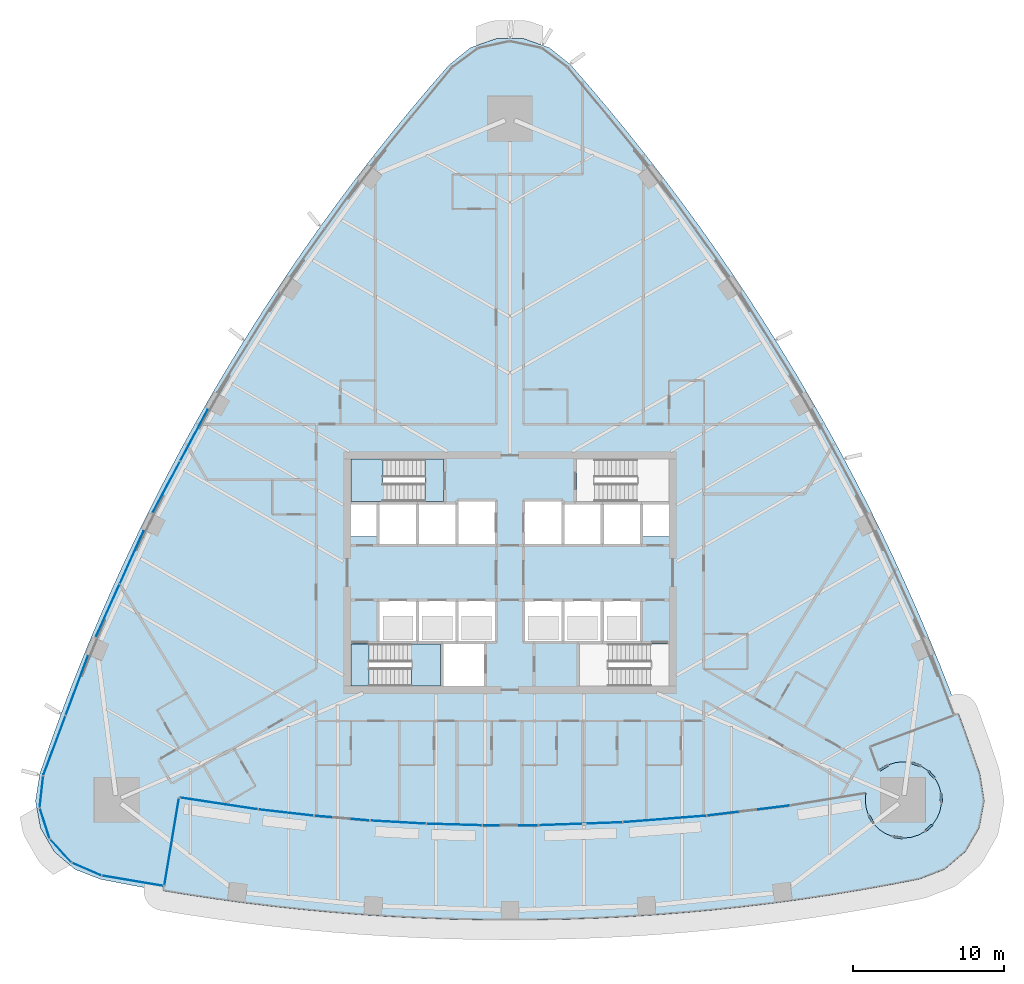
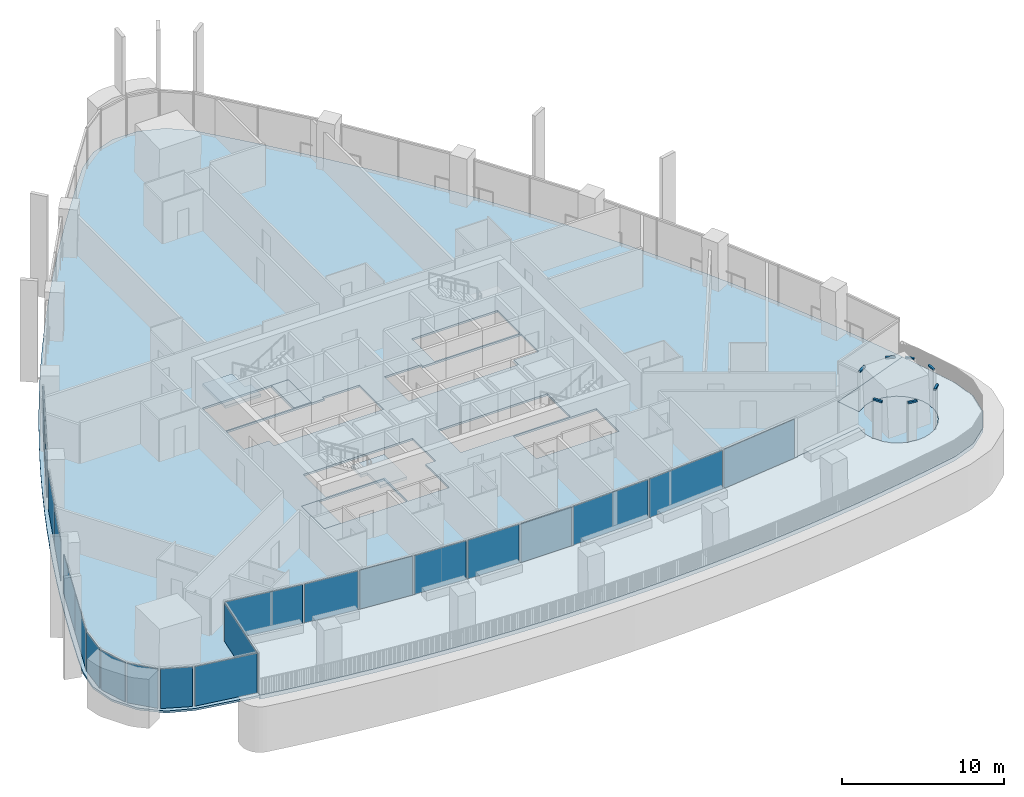
# One storey, part 8 of 25: 21 plates, 7 members, 6 slabs, 27 elements without a shape of their own.
"""IFC4 building model written with IfcOpenShell, lengths in metres."""

from ifc_helpers import new_model, si_unit, direction, frame, origin, origin_2d, place, context, subcontext, project, spatial, polyline, rectangle, outline, extrude, material, layer, layer_set, material_profile, profile_set, type_object, element, aggregate, save


model = new_model("IFC4")

# Units and contexts
model_context = context("Model", 3, precision=1e-05, world=origin(), true_north=direction((0.0, 1.0)))
body_context = subcontext(model_context, "Body", "Model", "MODEL_VIEW")
ifc_project = project(units=[si_unit("LENGTHUNIT", "METRE"), si_unit("AREAUNIT", "SQUARE_METRE"), si_unit("VOLUMEUNIT", "CUBIC_METRE"), si_unit("PLANEANGLEUNIT", "RADIAN"), si_unit("MASSUNIT", "GRAM", prefix="KILO")], contexts=[model_context])

# Site, building, storey
site_placement = place(None, origin())
site = spatial("IfcSite", under=ifc_project, at=site_placement, CompositionType="ELEMENT")
building_placement = place(site_placement, origin())
building = spatial("IfcBuilding", under=site, at=building_placement, Name="Sierra Prisma Convention Tower", CompositionType="ELEMENT")
storey_placement = place(building_placement, frame((0.0, 0.0, 88.699951171875)))
storey = spatial("IfcBuildingStorey", under=building, at=storey_placement, Name="L18", CompositionType="ELEMENT", Elevation=88.699951171875)

# Curtain wall, member
ifc_material_1 = material(Name="Aluminium and glass curtain wall", Category="aluminium")
ifc_layer_1 = layer(ifc_material_1, 0.179931640625)
ifc_layer_set_1 = layer_set([ifc_layer_1], Name="CW-6 Terrace recess curtain wall")
curtain_wall_type_1 = type_object("IfcCurtainWallType", Name="CW-6 Terrace recess curtain wall", PredefinedType="NOTDEFINED", material=ifc_layer_set_1)
curtain_wall_1_placement = place(storey_placement, origin())
curtain_wall_1 = element("IfcCurtainWall", 1, at=curtain_wall_1_placement, inside=storey, type_object=curtain_wall_type_1, Name="CW-6 R14 L18", PredefinedType="NOTDEFINED")
ifc_material_2 = material(Name="Aluminium 6063-T6 bronze anodised", Category="aluminium")
ifc_material_profile = material_profile(ifc_material_2, rectangle(XDim=0.139892578125, YDim=0.1201171875, at=origin_2d()), Name="ALU TRANSOM 120x140")
ifc_profile_set = profile_set([ifc_material_profile], Name="Aluminium 6063-T6 bronze anodised")
member_type = type_object("IfcMemberType", Name="CW transom bronze", PredefinedType="USERDEFINED", material=ifc_profile_set)
member_1_placement = place(storey_placement, frame((23.704345703125, -16.03466796875, 2.97998046875), z_axis=(0.513957065428, -0.857815909678, 0.0), x_axis=(0.857815909678, 0.513957065428, 0.0)))
member_1 = element("IfcMember", 2, at=member_1_placement, type_object=member_type, Name="CW-6 transom R14.1", ObjectType="TRANSOM", PredefinedType="USERDEFINED", context=body_context, shape_type="SweptSolid", body=[
    extrude(rectangle(XDim=0.139892578125, YDim=0.1201171875, at=origin_2d()), origin(), (0.0, 0.0, 1.0), 0.599853515625),
])
aggregate(curtain_wall_1, [member_1])

curtain_wall_2_placement = place(storey_placement, origin())
curtain_wall_2 = element("IfcCurtainWall", 3, at=curtain_wall_2_placement, inside=storey, type_object=curtain_wall_type_1, Name="CW-6 R18 L18", PredefinedType="NOTDEFINED")
member_2_placement = place(storey_placement, frame((25.335205078125, -17.432861328125, 2.97998046875), z_axis=(0.989144372803, -0.146946962379, 0.0), x_axis=(0.146946962379, 0.989144372803, 0.0)))
member_2 = element("IfcMember", 4, at=member_2_placement, type_object=member_type, Name="CW-6 transom R18.1", ObjectType="TRANSOM", PredefinedType="USERDEFINED", context=body_context, shape_type="SweptSolid", body=[
    extrude(rectangle(XDim=0.139892578125, YDim=0.1201171875, at=origin_2d()), origin(), (0.0, 0.0, 1.0), 0.599853515625),
])
aggregate(curtain_wall_2, [member_2])

curtain_wall_3_placement = place(storey_placement, origin())
curtain_wall_3 = element("IfcCurtainWall", 5, at=curtain_wall_3_placement, inside=storey, type_object=curtain_wall_type_1, Name="CW-6 R22 L18", PredefinedType="NOTDEFINED")
member_3_placement = place(storey_placement, frame((27.450439453125, -17.059326171875, 2.97998046875), z_axis=(0.740841434269, 0.67167996045, 0.0), x_axis=(-0.67167996045, 0.740841434269, 0.0)))
member_3 = element("IfcMember", 6, at=member_3_placement, type_object=member_type, Name="CW-6 transom R22.1", ObjectType="TRANSOM", PredefinedType="USERDEFINED", context=body_context, shape_type="SweptSolid", body=[
    extrude(rectangle(XDim=0.139892578125, YDim=0.1201171875, at=origin_2d()), origin(), (0.0, 0.0, 1.0), 0.60009765625),
])
aggregate(curtain_wall_3, [member_3])

curtain_wall_4_placement = place(storey_placement, origin())
curtain_wall_4 = element("IfcCurtainWall", 7, at=curtain_wall_4_placement, inside=storey, type_object=curtain_wall_type_1, Name="CW-6 R26 L18", PredefinedType="NOTDEFINED")
member_4_placement = place(storey_placement, frame((28.503662109375, -15.18701171875, 2.97998046875), z_axis=(-0.049247424507, 0.998786609431, 0.0), x_axis=(-0.998786609431, -0.049247424507, 0.0)))
member_4 = element("IfcMember", 8, at=member_4_placement, type_object=member_type, Name="CW-6 transom R26.1", ObjectType="TRANSOM", PredefinedType="USERDEFINED", context=body_context, shape_type="SweptSolid", body=[
    extrude(rectangle(XDim=0.139892578125, YDim=0.1201171875, at=origin_2d()), origin(), (0.0, 0.0, 1.0), 0.599853515625),
])
aggregate(curtain_wall_4, [member_4])

curtain_wall_5_placement = place(storey_placement, origin())
curtain_wall_5 = element("IfcCurtainWall", 9, at=curtain_wall_5_placement, inside=storey, type_object=curtain_wall_type_1, Name="CW-6 R29 L18", PredefinedType="NOTDEFINED")
member_5_placement = place(storey_placement, frame((28.047119140625, -13.55712890625, 2.97998046875), z_axis=(-0.671659103057, 0.740860343979, 0.0), x_axis=(-0.740860343979, -0.671659103057, 0.0)))
member_5 = element("IfcMember", 10, at=member_5_placement, type_object=member_type, Name="CW-6 transom R29.1", ObjectType="TRANSOM", PredefinedType="USERDEFINED", context=body_context, shape_type="SweptSolid", body=[
    extrude(rectangle(XDim=0.139892578125, YDim=0.1201171875, at=origin_2d()), origin(), (0.0, 0.0, 1.0), 0.599853515625),
])
aggregate(curtain_wall_5, [member_5])

curtain_wall_6_placement = place(storey_placement, origin())
curtain_wall_6 = element("IfcCurtainWall", 11, at=curtain_wall_6_placement, inside=storey, type_object=curtain_wall_type_1, Name="CW-6 R31 L18", PredefinedType="NOTDEFINED")
member_6_placement = place(storey_placement, frame((27.120361328125, -12.7626953125, 2.97998046875), z_axis=(-0.941493007398, 0.337032516267, 0.0), x_axis=(-0.337032516267, -0.941493007398, 0.0)))
member_6 = element("IfcMember", 12, at=member_6_placement, type_object=member_type, Name="CW-6 transom R31.1", ObjectType="TRANSOM", PredefinedType="USERDEFINED", context=body_context, shape_type="SweptSolid", body=[
    extrude(rectangle(XDim=0.139892578125, YDim=0.1201171875, at=origin_2d()), origin(), (0.0, 0.0, 1.0), 0.599853515625),
])
aggregate(curtain_wall_6, [member_6])

curtain_wall_7_placement = place(storey_placement, origin())
curtain_wall_7 = element("IfcCurtainWall", 13, at=curtain_wall_7_placement, inside=storey, type_object=curtain_wall_type_1, Name="CW-6 R35 L18", PredefinedType="NOTDEFINED")
member_7_placement = place(storey_placement, frame((24.97314453125, -12.717041015625, 2.97998046875), z_axis=(-0.852628739162, -0.522517208477, 0.0), x_axis=(0.522517208477, -0.852628739162, 0.0)))
member_7 = element("IfcMember", 14, at=member_7_placement, type_object=member_type, Name="CW-6 transom R35.1", ObjectType="TRANSOM", PredefinedType="USERDEFINED", context=body_context, shape_type="SweptSolid", body=[
    extrude(rectangle(XDim=0.139892578125, YDim=0.1201171875, at=origin_2d()), origin(), (0.0, 0.0, 1.0), 0.63818359375),
])
aggregate(curtain_wall_7, [member_7])

# Curtain wall, plates
ifc_material_3 = material(Name="Aluminium and glass curtain wall", Category="aluminium")
ifc_layer_2 = layer(ifc_material_3, 0.179931640625)
ifc_layer_set_2 = layer_set([ifc_layer_2], Name="CW-1 Plain shaft curtain wall")
curtain_wall_type_2 = type_object("IfcCurtainWallType", Name="CW-1 Plain shaft curtain wall", PredefinedType="NOTDEFINED", material=ifc_layer_set_2)
curtain_wall_8_placement = place(storey_placement, origin())
curtain_wall_8 = element("IfcCurtainWall", 15, at=curtain_wall_8_placement, inside=storey, type_object=curtain_wall_type_2, Name="CW-1 NW4 L18", PredefinedType="NOTDEFINED")
ifc_material_4 = material(Name="Tinted glass bronze-grey IGU", Category="glass")
ifc_layer_3 = layer(ifc_material_4, 0.028076171875)
ifc_layer_set_3 = layer_set([ifc_layer_3], Name="CW-1 glass panel")
plate_type_1 = type_object("IfcPlateType", Name="CW-1 glass panel", PredefinedType="CURTAIN_PANEL", material=ifc_layer_set_3)
plate_1_placement = place(storey_placement, frame((-20.874755859375, 9.075439453125, 0.0), z_axis=(0.0, 0.0, 1.0), x_axis=(-0.470969267832, -0.882149618125, 0.0)))
plate_1 = element("IfcPlate", 16, at=plate_1_placement, type_object=plate_type_1, Name="CW-1 panel NW4.1", PredefinedType="CURTAIN_PANEL", context=body_context, shape_type="SweptSolid", body=[
    extrude(rectangle(XDim=3.818603515625, YDim=0.028076171875, at=origin_2d()), origin(), (0.0, 0.0, 1.0), 2.97998046875),
])
plate_2_placement = place(storey_placement, frame((-22.706298828125, 5.64501953125, 0.0), z_axis=(0.0, 0.0, 1.0), x_axis=(-0.470969267832, -0.882149618125, 0.0)))
plate_2 = element("IfcPlate", 17, at=plate_2_placement, type_object=plate_type_1, Name="CW-1 panel NW4.2", PredefinedType="CURTAIN_PANEL", context=body_context, shape_type="SweptSolid", body=[
    extrude(rectangle(XDim=3.818603515625, YDim=0.028076171875, at=origin_2d()), origin(), (0.0, 0.0, 1.0), 2.97998046875),
])
aggregate(curtain_wall_8, [plate_1, plate_2])

curtain_wall_9_placement = place(storey_placement, origin())
curtain_wall_9 = element("IfcCurtainWall", 18, at=curtain_wall_9_placement, inside=storey, type_object=curtain_wall_type_2, Name="CW-1 NW5 L18", PredefinedType="NOTDEFINED")
plate_3_placement = place(storey_placement, frame((-24.98486328125, 1.0146484375, 0.0), z_axis=(0.0, 0.0, 1.0), x_axis=(-0.411382273027, -0.911462904039, 0.0)))
plate_3 = element("IfcPlate", 19, at=plate_3_placement, type_object=plate_type_1, Name="CW-1 panel NW5.1", PredefinedType="CURTAIN_PANEL", context=body_context, shape_type="SweptSolid", body=[
    extrude(rectangle(XDim=3.802490234375, YDim=0.028076171875, at=origin_2d()), origin(), (0.0, 0.0, 1.0), 2.97998046875),
])
plate_4_placement = place(storey_placement, frame((-26.577880859375, -2.514892578125, 0.0), z_axis=(0.0, 0.0, 1.0), x_axis=(-0.411382273027, -0.911462904039, 0.0)))
plate_4 = element("IfcPlate", 20, at=plate_4_placement, type_object=plate_type_1, Name="CW-1 panel NW5.2", PredefinedType="CURTAIN_PANEL", context=body_context, shape_type="SweptSolid", body=[
    extrude(rectangle(XDim=3.802490234375, YDim=0.028076171875, at=origin_2d()), origin(), (0.0, 0.0, 1.0), 2.97998046875),
])
aggregate(curtain_wall_9, [plate_3, plate_4])

curtain_wall_10_placement = place(storey_placement, origin())
curtain_wall_10 = element("IfcCurtainWall", 21, at=curtain_wall_10_placement, inside=storey, type_object=curtain_wall_type_2, Name="CW-1 NW6 L18", PredefinedType="NOTDEFINED")
plate_5_placement = place(storey_placement, frame((-28.610595703125, -7.45947265625, 0.0), z_axis=(0.0, 0.0, 1.0), x_axis=(-0.349981132307, -0.936756749124, 0.0)))
plate_5 = element("IfcPlate", 22, at=plate_5_placement, type_object=plate_type_1, Name="CW-1 panel NW6.1", PredefinedType="CURTAIN_PANEL", context=body_context, shape_type="SweptSolid", body=[
    extrude(rectangle(XDim=4.125, YDim=0.028076171875, at=origin_2d()), origin(), (0.0, 0.0, 1.0), 2.97998046875),
])
plate_6_placement = place(storey_placement, frame((-30.078857421875, -11.38916015625, 0.0), z_axis=(0.0, 0.0, 1.0), x_axis=(-0.349981132307, -0.936756749124, 0.0)))
plate_6 = element("IfcPlate", 23, at=plate_6_placement, type_object=plate_type_1, Name="CW-1 panel NW6.2", PredefinedType="CURTAIN_PANEL", context=body_context, shape_type="SweptSolid", body=[
    extrude(rectangle(XDim=4.125, YDim=0.028076171875, at=origin_2d()), origin(), (0.0, 0.0, 1.0), 2.97998046875),
])
aggregate(curtain_wall_10, [plate_5, plate_6])

# Curtain wall, plate
curtain_wall_11_placement = place(storey_placement, origin())
curtain_wall_11 = element("IfcCurtainWall", 24, at=curtain_wall_11_placement, inside=storey, type_object=curtain_wall_type_2, Name="CW-1 SW1 L18", PredefinedType="NOTDEFINED")
plate_7_placement = place(storey_placement, frame((-30.9453125, -14.45166015625, 0.0), z_axis=(0.0, 0.0, 1.0), x_axis=(-0.112120107932, -0.993694662055, 0.0)))
plate_7 = element("IfcPlate", 25, at=plate_7_placement, type_object=plate_type_1, Name="CW-1 panel SW1.1", PredefinedType="CURTAIN_PANEL", context=body_context, shape_type="SweptSolid", body=[
    extrude(rectangle(XDim=2.003173828125, YDim=0.028076171875, at=origin_2d()), origin(), (0.0, 0.0, 1.0), 2.97998046875),
])
aggregate(curtain_wall_11, [plate_7])

curtain_wall_12_placement = place(storey_placement, origin())
curtain_wall_12 = element("IfcCurtainWall", 26, at=curtain_wall_12_placement, inside=storey, type_object=curtain_wall_type_2, Name="CW-1 SW2 L18", PredefinedType="NOTDEFINED")
plate_8_placement = place(storey_placement, frame((-30.73681640625, -16.536376953125, 0.0), z_axis=(0.0, 0.0, 1.0), x_axis=(0.306595049595, -0.951840047258, 0.0)))
plate_8 = element("IfcPlate", 27, at=plate_8_placement, type_object=plate_type_1, Name="CW-1 panel SW2.1", PredefinedType="CURTAIN_PANEL", context=body_context, shape_type="SweptSolid", body=[
    extrude(rectangle(XDim=2.003173828125, YDim=0.028076171875, at=origin_2d()), origin(), (0.0, 0.0, 1.0), 2.97998046875),
])
aggregate(curtain_wall_12, [plate_8])

curtain_wall_13_placement = place(storey_placement, origin())
curtain_wall_13 = element("IfcCurtainWall", 28, at=curtain_wall_13_placement, inside=storey, type_object=curtain_wall_type_2, Name="CW-1 SW3 L18", PredefinedType="NOTDEFINED")
plate_9_placement = place(storey_placement, frame((-29.689208984375, -18.350830078125, 0.0), z_axis=(0.0, 0.0, 1.0), x_axis=(0.671020136467, -0.741439125253, 0.0)))
plate_9 = element("IfcPlate", 29, at=plate_9_placement, type_object=plate_type_1, Name="CW-1 panel SW3.1", PredefinedType="CURTAIN_PANEL", context=body_context, shape_type="SweptSolid", body=[
    extrude(rectangle(XDim=2.003173828125, YDim=0.028076171875, at=origin_2d()), origin(), (0.0, 0.0, 1.0), 2.97998046875),
])
aggregate(curtain_wall_13, [plate_9])

curtain_wall_14_placement = place(storey_placement, origin())
curtain_wall_14 = element("IfcCurtainWall", 30, at=curtain_wall_14_placement, inside=storey, type_object=curtain_wall_type_2, Name="CW-1 SW4 L18", PredefinedType="NOTDEFINED")
plate_10_placement = place(storey_placement, frame((-27.988037109375, -19.573486328125, 0.0), z_axis=(0.0, 0.0, 1.0), x_axis=(0.916624874911, -0.399748469284, 0.0)))
plate_10 = element("IfcPlate", 31, at=plate_10_placement, type_object=plate_type_1, Name="CW-1 panel SW4.1", PredefinedType="CURTAIN_PANEL", context=body_context, shape_type="SweptSolid", body=[
    extrude(rectangle(XDim=2.003173828125, YDim=0.028076171875, at=origin_2d()), origin(), (0.0, 0.0, 1.0), 2.97998046875),
])
aggregate(curtain_wall_14, [plate_10])

curtain_wall_15_placement = place(storey_placement, origin())
curtain_wall_15 = element("IfcCurtainWall", 32, at=curtain_wall_15_placement, inside=storey, type_object=curtain_wall_type_2, Name="CW-1 S1 L18", PredefinedType="NOTDEFINED")
plate_11_placement = place(storey_placement, frame((-24.919921875, -20.3515625, 0.0), z_axis=(0.0, 0.0, 1.0), x_axis=(0.986245708061, -0.165285823139, 0.0)))
plate_11 = element("IfcPlate", 33, at=plate_11_placement, type_object=plate_type_1, Name="CW-1 panel S1.1", PredefinedType="CURTAIN_PANEL", context=body_context, shape_type="SweptSolid", body=[
    extrude(rectangle(XDim=4.090087890625, YDim=0.028076171875, at=origin_2d()), origin(), (0.0, 0.0, 1.0), 2.97998046875),
])
aggregate(curtain_wall_15, [plate_11])

curtain_wall_16_placement = place(storey_placement, origin())
curtain_wall_16 = element("IfcCurtainWall", 34, at=curtain_wall_16_placement, inside=storey, type_object=curtain_wall_type_1, Name="CW-6 R1 L18", PredefinedType="NOTDEFINED")
ifc_material_5 = material(Name="Tinted glass bronze-grey IGU", Category="glass")
ifc_layer_4 = layer(ifc_material_5, 0.028076171875)
ifc_layer_set_4 = layer_set([ifc_layer_4], Name="CW-6 glass panel")
plate_type_2 = type_object("IfcPlateType", Name="CW-6 glass panel", PredefinedType="CURTAIN_PANEL", material=ifc_layer_set_4)
plate_12_placement = place(storey_placement, frame((-19.257568359375, -15.239501953125, 0.0), z_axis=(0.0, 0.0, 1.0), x_axis=(0.988718781647, -0.14978374684, 0.0)))
plate_12 = element("IfcPlate", 35, at=plate_12_placement, type_object=plate_type_2, Name="CW-6 panel R1.1", PredefinedType="CURTAIN_PANEL", context=body_context, shape_type="SweptSolid", body=[
    extrude(rectangle(XDim=5.10986328125, YDim=0.028076171875, at=origin_2d()), origin(), (0.0, 0.0, 1.0), 2.919921875),
])
aggregate(curtain_wall_16, [plate_12])

curtain_wall_17_placement = place(storey_placement, origin())
curtain_wall_17 = element("IfcCurtainWall", 36, at=curtain_wall_17_placement, inside=storey, type_object=curtain_wall_type_1, Name="CW-6 R2 L18", PredefinedType="NOTDEFINED")
plate_13_placement = place(storey_placement, frame((-14.81787109375, -15.843505859375, 0.0), z_axis=(0.0, 0.0, 1.0), x_axis=(0.99352479573, -0.11361549309, 0.0)))
plate_13 = element("IfcPlate", 37, at=plate_13_placement, type_object=plate_type_2, Name="CW-6 panel R2.1", PredefinedType="CURTAIN_PANEL", context=body_context, shape_type="SweptSolid", body=[
    extrude(rectangle(XDim=3.57275390625, YDim=0.028076171875, at=origin_2d()), origin(), (0.0, 0.0, 1.0), 2.919921875),
])
aggregate(curtain_wall_17, [plate_13])

curtain_wall_18_placement = place(storey_placement, origin())
curtain_wall_18 = element("IfcCurtainWall", 38, at=curtain_wall_18_placement, inside=storey, type_object=curtain_wall_type_1, Name="CW-6 R3 L18", PredefinedType="NOTDEFINED")
plate_14_placement = place(storey_placement, frame((-11.123779296875, -16.212890625, 0.0), z_axis=(0.0, 0.0, 1.0), x_axis=(0.996355975327, -0.08529226477, 0.0)))
plate_14 = element("IfcPlate", 39, at=plate_14_placement, type_object=plate_type_2, Name="CW-6 panel R3.1", PredefinedType="CURTAIN_PANEL", context=body_context, shape_type="SweptSolid", body=[
    extrude(rectangle(XDim=3.57275390625, YDim=0.028076171875, at=origin_2d()), origin(), (0.0, 0.0, 1.0), 2.919921875),
])
aggregate(curtain_wall_18, [plate_14])

curtain_wall_19_placement = place(storey_placement, origin())
curtain_wall_19 = element("IfcCurtainWall", 40, at=curtain_wall_19_placement, inside=storey, type_object=curtain_wall_type_1, Name="CW-6 R4 L18", PredefinedType="NOTDEFINED")
plate_15_placement = place(storey_placement, frame((-7.4208984375, -16.476806640625, 0.0), z_axis=(0.0, 0.0, 1.0), x_axis=(0.998379886549, -0.05689993088, 0.0)))
plate_15 = element("IfcPlate", 41, at=plate_15_placement, type_object=plate_type_2, Name="CW-6 panel R4.1", PredefinedType="CURTAIN_PANEL", context=body_context, shape_type="SweptSolid", body=[
    extrude(rectangle(XDim=3.57275390625, YDim=0.028076171875, at=origin_2d()), origin(), (0.0, 0.0, 1.0), 2.919921875),
])
aggregate(curtain_wall_19, [plate_15])

curtain_wall_20_placement = place(storey_placement, origin())
curtain_wall_20 = element("IfcCurtainWall", 42, at=curtain_wall_20_placement, inside=storey, type_object=curtain_wall_type_1, Name="CW-6 R5 L18", PredefinedType="NOTDEFINED")
plate_16_placement = place(storey_placement, frame((-3.7119140625, -16.63525390625, 0.0), z_axis=(0.0, 0.0, 1.0), x_axis=(0.99959488958, -0.028461495497, 0.0)))
plate_16 = element("IfcPlate", 43, at=plate_16_placement, type_object=plate_type_2, Name="CW-6 panel R5.1", PredefinedType="CURTAIN_PANEL", context=body_context, shape_type="SweptSolid", body=[
    extrude(rectangle(XDim=3.57275390625, YDim=0.028076171875, at=origin_2d()), origin(), (0.0, 0.0, 1.0), 2.919921875),
])
aggregate(curtain_wall_20, [plate_16])

curtain_wall_21_placement = place(storey_placement, origin())
curtain_wall_21 = element("IfcCurtainWall", 44, at=curtain_wall_21_placement, inside=storey, type_object=curtain_wall_type_1, Name="CW-6 R6 L18", PredefinedType="NOTDEFINED")
plate_17_placement = place(storey_placement, frame((0.0, -16.68798828125, 0.0), z_axis=(0.0, 0.0, 1.0), x_axis=(1.0, 0.0, 0.0)))
plate_17 = element("IfcPlate", 45, at=plate_17_placement, type_object=plate_type_2, Name="CW-6 panel R6.1", PredefinedType="CURTAIN_PANEL", context=body_context, shape_type="SweptSolid", body=[
    extrude(rectangle(XDim=3.57275390625, YDim=0.028076171875, at=origin_2d()), origin(), (0.0, 0.0, 1.0), 2.919921875),
])
aggregate(curtain_wall_21, [plate_17])

curtain_wall_22_placement = place(storey_placement, origin())
curtain_wall_22 = element("IfcCurtainWall", 46, at=curtain_wall_22_placement, inside=storey, type_object=curtain_wall_type_1, Name="CW-6 R7 L18", PredefinedType="NOTDEFINED")
plate_18_placement = place(storey_placement, frame((4.638916015625, -16.589111328125, 0.0), z_axis=(0.0, 0.0, 1.0), x_axis=(0.999367039011, 0.035574166741, 0.0)))
plate_18 = element("IfcPlate", 47, at=plate_18_placement, type_object=plate_type_2, Name="CW-6 panel R7.1", PredefinedType="CURTAIN_PANEL", context=body_context, shape_type="SweptSolid", body=[
    extrude(rectangle(XDim=5.4287109375, YDim=0.028076171875, at=origin_2d()), origin(), (0.0, 0.0, 1.0), 2.919921875),
])
aggregate(curtain_wall_22, [plate_18])

curtain_wall_23_placement = place(storey_placement, origin())
curtain_wall_23 = element("IfcCurtainWall", 48, at=curtain_wall_23_placement, inside=storey, type_object=curtain_wall_type_1, Name="CW-6 R8 L18", PredefinedType="NOTDEFINED")
plate_19_placement = place(storey_placement, frame((10.197509765625, -16.272216796875, 0.0), z_axis=(0.0, 0.0, 1.0), x_axis=(0.996937709788, 0.078199762171, 0.0)))
plate_19 = element("IfcPlate", 49, at=plate_19_placement, type_object=plate_type_2, Name="CW-6 panel R8.1", PredefinedType="CURTAIN_PANEL", context=body_context, shape_type="SweptSolid", body=[
    extrude(rectangle(XDim=5.4287109375, YDim=0.028076171875, at=origin_2d()), origin(), (0.0, 0.0, 1.0), 2.919921875),
])
aggregate(curtain_wall_23, [plate_19])

curtain_wall_24_placement = place(storey_placement, origin())
curtain_wall_24 = element("IfcCurtainWall", 50, at=curtain_wall_24_placement, inside=storey, type_object=curtain_wall_type_1, Name="CW-6 R9 L18", PredefinedType="NOTDEFINED")
plate_20_placement = place(storey_placement, frame((15.737548828125, -15.718505859375, 0.0), z_axis=(0.0, 0.0, 1.0), x_axis=(0.992691119615, 0.120682811693, 0.0)))
plate_20 = element("IfcPlate", 51, at=plate_20_placement, type_object=plate_type_2, Name="CW-6 panel R9.1", PredefinedType="CURTAIN_PANEL", context=body_context, shape_type="SweptSolid", body=[
    extrude(rectangle(XDim=5.4287109375, YDim=0.028076171875, at=origin_2d()), origin(), (0.0, 0.0, 1.0), 2.919921875),
])
aggregate(curtain_wall_24, [plate_20])

curtain_wall_25_placement = place(storey_placement, origin())
curtain_wall_25 = element("IfcCurtainWall", 52, at=curtain_wall_25_placement, inside=storey, type_object=curtain_wall_type_1, Name="CW-6 RT1 L18", PredefinedType="NOTDEFINED")
plate_21_placement = place(storey_placement, frame((-22.343505859375, -17.773681640625, 0.0), z_axis=(0.0, 0.0, 1.0), x_axis=(0.165285823139, 0.986245708061, 0.0)))
plate_21 = element("IfcPlate", 53, at=plate_21_placement, type_object=plate_type_2, Name="CW-6 panel RT1.1", PredefinedType="CURTAIN_PANEL", context=body_context, shape_type="SweptSolid", body=[
    extrude(rectangle(XDim=5.79638671875, YDim=0.028076171875, at=origin_2d()), origin(), (0.0, 0.0, 1.0), 2.919921875),
])
aggregate(curtain_wall_25, [plate_21])

# Slab
ifc_material_6 = material(Name="Concrete C35/45", Category="concrete")
ifc_layer_5 = layer(ifc_material_6, 0.14990234375)
ifc_layer_set_5 = layer_set([ifc_layer_5], Name="Composite floor slab 150")
slab_type_1 = type_object("IfcSlabType", Name="Composite floor slab 150", PredefinedType="FLOOR", material=ifc_layer_set_5)
slab_1_placement = place(storey_placement, frame((0.0, 0.0, -0.14990234375)))
element("IfcSlab", 54, at=slab_1_placement, inside=storey, type_object=slab_type_1, Name="Floor slab L18 floor", PredefinedType="FLOOR", context=body_context, shape_type="SweptSolid", body=[
    extrude(outline(polyline([(-23.231201171875, -20.962646484375), (-22.88671875, -21.01953125), (-21.852783203125, -14.84619140625), (-16.662109375, -15.632568359375), (-12.973388671875, -16.054443359375), (-9.274169921875, -16.37109375), (-5.567626953125, -16.582275390625), (-1.8564453125, -16.68798828125), (1.8564453125, -16.68798828125), (7.421630859375, -16.489990234375), (12.973388671875, -16.054443359375), (18.50146484375, -15.38232421875), (23.5185546875, -14.560791015625), (23.4765625, -15.009765625), (23.52490234375, -15.501708984375), (23.66845703125, -15.974609375), (24.048828125, -16.609375), (24.398193359375, -16.958740234375), (24.809326171875, -17.2333984375), (25.265869140625, -17.422607421875), (25.997802734375, -17.53125), (26.48974609375, -17.482666015625), (26.962646484375, -17.33935546875), (27.398681640625, -17.106201171875), (27.94677734375, -16.609375), (28.221435546875, -16.198486328125), (28.41064453125, -15.74169921875), (28.507080078125, -15.257080078125), (28.470703125, -14.51806640625), (28.3271484375, -14.044921875), (28.09423828125, -13.609130859375), (27.597412109375, -13.060791015625), (27.186279296875, -12.7861328125), (26.48974609375, -12.536865234375), (25.997802734375, -12.488525390625), (25.505859375, -12.536865234375), (25.032958984375, -12.680419921875), (24.369384765625, -13.087158203125), (23.78369140625, -11.501953125), (29.64697265625, -9.310546875), (29.084716796875, -7.816650390625), (28.373779296875, -6.005859375), (27.636962890625, -4.20556640625), (26.874755859375, -2.415771484375), (26.087158203125, -0.636962890625), (25.274169921875, 1.130615234375), (24.436279296875, 2.88623046875), (23.573486328125, 4.629638671875), (22.685791015625, 6.36083984375), (21.773681640625, 8.0791015625), (20.837158203125, 9.7841796875), (19.87646484375, 11.475830078125), (18.891845703125, 13.153564453125), (17.883544921875, 14.817138671875), (16.8515625, 16.466064453125), (15.796142578125, 18.100341796875), (14.717529296875, 19.71923828125), (13.6162109375, 21.32275390625), (12.491943359375, 22.91064453125), (11.345458984375, 24.48193359375), (10.176513671875, 26.037109375), (8.985595703125, 27.5751953125), (7.77294921875, 29.096435546875), (6.53857421875, 30.60009765625), (5.283203125, 32.086181640625), (4.006591796875, 33.55419921875), (2.6025390625, 34.685791015625), (0.90185546875, 35.285888671875), (-0.90185546875, 35.285888671875), (-2.6025390625, 34.685791015625), (-4.006591796875, 33.55419921875), (-5.283203125, 32.086181640625), (-6.53857421875, 30.60009765625), (-7.77294921875, 29.096435546875), (-8.985595703125, 27.5751953125), (-10.176513671875, 26.037109375), (-11.345458984375, 24.48193359375), (-12.491943359375, 22.91064453125), (-13.6162109375, 21.32275390625), (-14.717529296875, 19.71923828125), (-15.796142578125, 18.100341796875), (-16.8515625, 16.466064453125), (-17.883544921875, 14.817138671875), (-18.891845703125, 13.153564453125), (-19.87646484375, 11.475830078125), (-20.837158203125, 9.7841796875), (-21.773681640625, 8.0791015625), (-22.685791015625, 6.36083984375), (-23.573486328125, 4.629638671875), (-24.436279296875, 2.88623046875), (-25.274169921875, 1.130615234375), (-26.087158203125, -0.636962890625), (-26.874755859375, -2.415771484375), (-27.636962890625, -4.20556640625), (-28.373779296875, -6.005859375), (-29.084716796875, -7.816650390625), (-29.769775390625, -9.637451171875), (-30.428955078125, -11.4677734375), (-31.06201171875, -13.30712890625), (-31.340087890625, -15.089111328125), (-31.00927734375, -16.862060546875), (-30.107666015625, -18.423828125), (-28.737548828125, -19.5966796875), (-27.055419921875, -20.2470703125), (-25.145751953125, -20.618408203125), (-23.231201171875, -20.962646484375)]), holes=[polyline([(-4.60009765625, -7.5), (-10.5, -7.5), (-10.5, -4.699951171875), (-4.60009765625, -4.699951171875), (-4.60009765625, -7.5)]), polyline([(-8.699951171875, -4.60009765625), (-8.699951171875, -1.800048828125), (-6.10009765625, -1.800048828125), (-3.5, -1.800048828125), (-0.89990234375, -1.800048828125), (-0.89990234375, -4.60009765625), (-1.60009765625, -4.60009765625), (-1.60009765625, -7.5), (-4.5, -7.5), (-4.5, -4.60009765625), (-6.10009765625, -4.60009765625), (-8.699951171875, -4.60009765625)]), polyline([(-10.5, 4.60009765625), (-8.699951171875, 4.60009765625), (-6.10009765625, 4.60009765625), (-3.5, 4.60009765625), (-3.5, 4.800048828125), (-0.89990234375, 4.800048828125), (-0.89990234375, 1.800048828125), (-3.5, 1.800048828125), (-6.10009765625, 1.800048828125), (-8.699951171875, 1.800048828125), (-8.699951171875, 2.39990234375), (-10.5, 2.39990234375), (-10.5, 4.60009765625)]), polyline([(-4.39990234375, 4.699951171875), (-10.5, 4.699951171875), (-10.5, 7.5), (-4.39990234375, 7.5), (-4.39990234375, 4.699951171875)]), polyline([(10.5, -7.5), (4.60009765625, -7.5), (4.60009765625, -4.699951171875), (10.5, -4.699951171875), (10.5, -7.5)]), polyline([(6.10009765625, -1.800048828125), (8.699951171875, -1.800048828125), (8.699951171875, -4.60009765625), (6.10009765625, -4.60009765625), (3.5, -4.60009765625), (0.89990234375, -4.60009765625), (0.89990234375, -1.800048828125), (3.5, -1.800048828125), (6.10009765625, -1.800048828125)]), polyline([(10.5, 4.60009765625), (10.5, 2.39990234375), (8.699951171875, 2.39990234375), (8.699951171875, 1.800048828125), (6.10009765625, 1.800048828125), (3.5, 1.800048828125), (0.89990234375, 1.800048828125), (0.89990234375, 4.800048828125), (3.5, 4.800048828125), (3.5, 4.60009765625), (6.10009765625, 4.60009765625), (8.699951171875, 4.60009765625), (10.5, 4.60009765625)]), polyline([(4.39990234375, 4.699951171875), (4.39990234375, 7.5), (10.5, 7.5), (10.5, 4.699951171875), (4.39990234375, 4.699951171875)])]), origin(), (0.0, 0.0, 1.0), 0.14990234375),
])

# Stair, slab
ifc_material_7 = material(Name="Concrete C30/37", Category="concrete")
stair_type = type_object("IfcStairType", Name="Stair dog-leg 1200 RC", PredefinedType="HALF_TURN_STAIR", material=ifc_material_7)
stair_1_placement = place(storey_placement, origin())
stair_1 = element("IfcStair", 55, at=stair_1_placement, inside=storey, type_object=stair_type, Name="L18 S1", PredefinedType="HALF_TURN_STAIR")
ifc_material_8 = material(Name="Concrete C35/45", Category="concrete")
ifc_layer_6 = layer(ifc_material_8, 0.199951171875)
ifc_layer_set_6 = layer_set([ifc_layer_6], Name="Stair landing slab")
slab_type_2 = type_object("IfcSlabType", Name="Stair landing slab", PredefinedType="LANDING", material=ifc_layer_set_6)
slab_2_placement = place(storey_placement, frame((0.0, 0.0, 1.650146484375)))
slab_2 = element("IfcSlab", 56, at=slab_2_placement, type_object=slab_type_2, Name="S1 landing 1", PredefinedType="LANDING", context=body_context, shape_type="SweptSolid", body=[
    extrude(outline(polyline([(-4.60009765625, -4.699951171875), (-4.60009765625, -7.5), (-6.501953125, -7.5), (-6.501953125, -5.89990234375), (-6.949951171875, -5.89990234375), (-6.949951171875, -4.699951171875), (-4.60009765625, -4.699951171875)])), origin(), (0.0, 0.0, 1.0), 0.199951171875),
])
aggregate(stair_1, [slab_2])

# Slab
slab_3_placement = place(storey_placement, frame((0.0, 0.0, -0.199951171875)))
element("IfcSlab", 57, at=slab_3_placement, inside=storey, type_object=slab_type_2, Name="S1 floor landing L18", PredefinedType="LANDING", context=body_context, shape_type="SweptSolid", body=[
    extrude(outline(polyline([(-10.5, -7.5), (-9.298095703125, -7.5), (-9.298095703125, -4.699951171875), (-10.5, -4.699951171875), (-10.5, -7.5)])), origin(), (0.0, 0.0, 1.0), 0.199951171875),
])

# Stair, slab
stair_2_placement = place(storey_placement, origin())
stair_2 = element("IfcStair", 58, at=stair_2_placement, inside=storey, type_object=stair_type, Name="L18 S3", PredefinedType="HALF_TURN_STAIR")
slab_4_placement = place(storey_placement, frame((0.0, 0.0, 1.650146484375)))
slab_4 = element("IfcSlab", 59, at=slab_4_placement, type_object=slab_type_2, Name="S3 landing 1", PredefinedType="LANDING", context=body_context, shape_type="SweptSolid", body=[
    extrude(outline(polyline([(-7.949951171875, 5.89990234375), (-7.949951171875, 4.699951171875), (-10.5, 4.699951171875), (-10.5, 7.5), (-8.39794921875, 7.5), (-8.39794921875, 5.89990234375), (-7.949951171875, 5.89990234375)])), origin(), (0.0, 0.0, 1.0), 0.199951171875),
])
aggregate(stair_2, [slab_4])

# Slabs
slab_5_placement = place(storey_placement, frame((0.0, 0.0, -0.199951171875)))
element("IfcSlab", 60, at=slab_5_placement, inside=storey, type_object=slab_type_2, Name="S3 floor landing L18", PredefinedType="LANDING", context=body_context, shape_type="SweptSolid", body=[
    extrude(outline(polyline([(-4.39990234375, 7.5), (-5.60205078125, 7.5), (-5.60205078125, 4.699951171875), (-4.39990234375, 4.699951171875), (-4.39990234375, 7.5)])), origin(), (0.0, 0.0, 1.0), 0.199951171875),
])
ifc_material_9 = material(Name="Concrete C50/60", Category="concrete")
ifc_layer_7 = layer(ifc_material_9, 0.300048828125)
ifc_layer_set_7 = layer_set([ifc_layer_7], Name="Terrace slab")
slab_type_3 = type_object("IfcSlabType", Name="Terrace slab", PredefinedType="FLOOR", material=ifc_layer_set_7)
slab_6_placement = place(storey_placement, frame((0.0, 0.0, -0.300048828125)))
element("IfcSlab", 61, at=slab_6_placement, inside=storey, type_object=slab_type_3, Name="Terrace slab L18", PredefinedType="FLOOR", context=body_context, shape_type="SweptSolid", body=[
    extrude(outline(polyline([(-22.88671875, -21.01953125), (-21.311767578125, -21.27978515625), (-19.38818359375, -21.5693359375), (-17.46044921875, -21.83154296875), (-15.529296875, -22.06640625), (-13.59521484375, -22.273681640625), (-11.657958984375, -22.453369140625), (-9.71875, -22.60546875), (-7.77734375, -22.72998046875), (-5.834228515625, -22.826904296875), (-3.89013671875, -22.89599609375), (-1.9453125, -22.9375), (0.0, -22.951416015625), (1.9453125, -22.9375), (3.89013671875, -22.89599609375), (5.834228515625, -22.826904296875), (7.77734375, -22.72998046875), (9.71875, -22.60546875), (11.657958984375, -22.453369140625), (13.59521484375, -22.273681640625), (15.529296875, -22.06640625), (17.46044921875, -21.83154296875), (19.38818359375, -21.5693359375), (21.311767578125, -21.27978515625), (23.231201171875, -20.962646484375), (25.145751953125, -20.618408203125), (27.055419921875, -20.2470703125), (28.737548828125, -19.5966796875), (30.107666015625, -18.423828125), (31.00927734375, -16.862060546875), (31.340087890625, -15.089111328125), (31.06201171875, -13.30712890625), (30.428955078125, -11.4677734375), (29.769775390625, -9.637451171875), (29.64697265625, -9.310546875), (23.78369140625, -11.501953125), (24.369384765625, -13.087158203125), (25.032958984375, -12.680419921875), (25.505859375, -12.536865234375), (25.997802734375, -12.488525390625), (26.48974609375, -12.536865234375), (27.186279296875, -12.7861328125), (27.597412109375, -13.060791015625), (28.09423828125, -13.609130859375), (28.3271484375, -14.044921875), (28.470703125, -14.51806640625), (28.507080078125, -15.257080078125), (28.41064453125, -15.74169921875), (28.221435546875, -16.198486328125), (27.94677734375, -16.609375), (27.398681640625, -17.106201171875), (26.962646484375, -17.33935546875), (26.48974609375, -17.482666015625), (25.997802734375, -17.53125), (25.265869140625, -17.422607421875), (24.809326171875, -17.2333984375), (24.398193359375, -16.958740234375), (24.048828125, -16.609375), (23.66845703125, -15.974609375), (23.52490234375, -15.501708984375), (23.4765625, -15.009765625), (23.5185546875, -14.560791015625), (18.50146484375, -15.38232421875), (12.973388671875, -16.054443359375), (7.421630859375, -16.489990234375), (1.8564453125, -16.68798828125), (-1.8564453125, -16.68798828125), (-5.567626953125, -16.582275390625), (-9.274169921875, -16.37109375), (-12.973388671875, -16.054443359375), (-16.662109375, -15.632568359375), (-21.852783203125, -14.84619140625), (-22.88671875, -21.01953125)])), origin(), (0.0, 0.0, 1.0), 0.300048828125),
])

save(model, "model.ifc")
